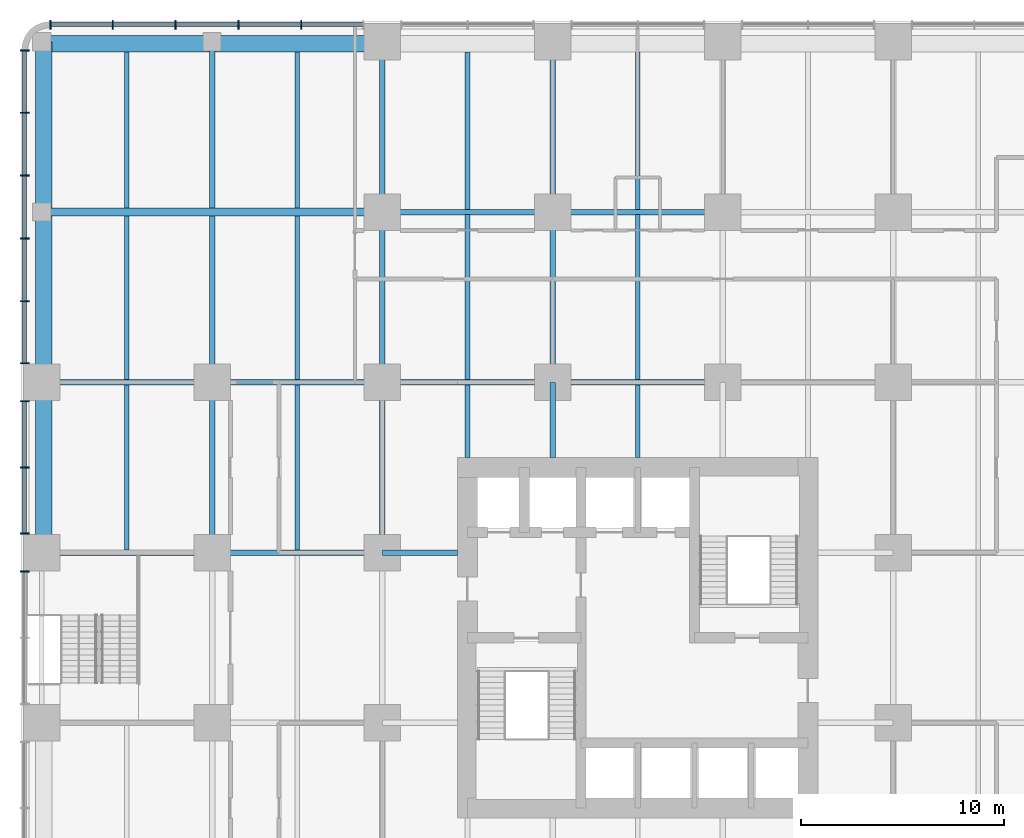
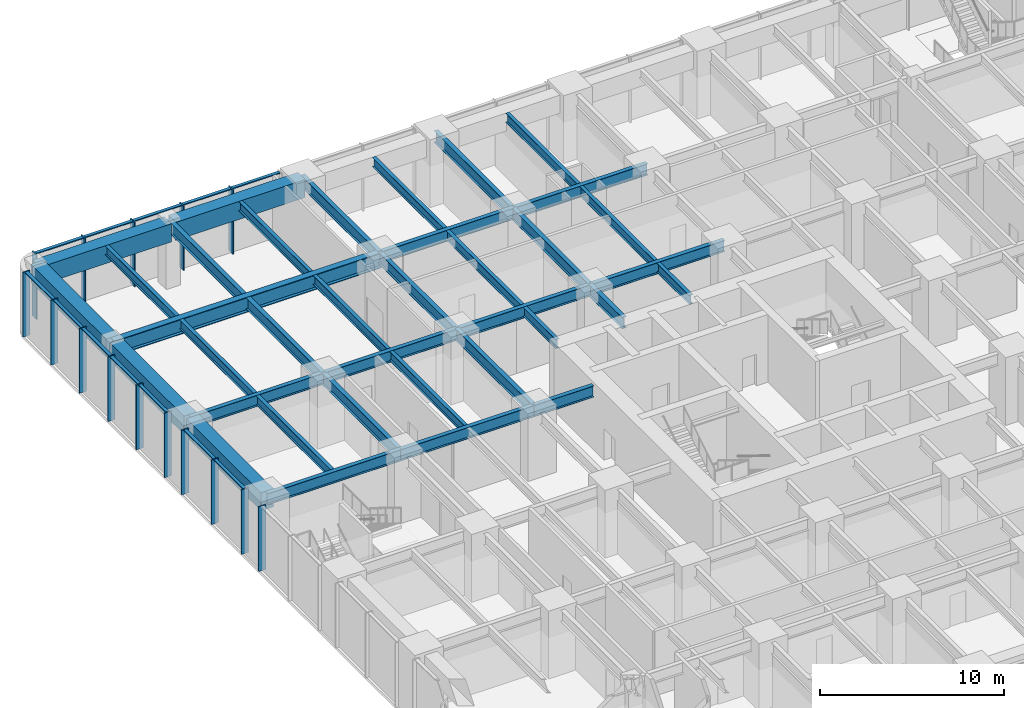
# One storey, part 5 of 17: 36 beams, 27 members, 2 elements without a shape of their own.
"""IFC4 building model written with IfcOpenShell, lengths in metres."""

import ifcopenshell
import ifcopenshell.guid

model = None  # the IFC model being written
_history = None  # IfcOwnerHistory: only IFC2X3 demands one
_inside = {}  # id of a spatial element -> (the spatial element, [elements in it])
_under = {}  # id of a project, library or spatial element -> (it, [spatial elements below it])
_declared = {}  # id of a project -> (the project, [libraries it declares])
_typed = {}  # id of a type object -> (the type object, [elements of that type])
_made_of = {}  # id of a material, layer set ... -> (it, [elements and type objects made of it])


def new_model(schema):
    """Start an empty IFC model of exactly this schema.

    Asked for "IFC4X3", IfcOpenShell would pick the latest addendum, in which some entities
    have other attributes; the version numbers below select the first issue.
    IFC2X3 requires an IfcOwnerHistory on every rooted entity: one is made here for all.
    """
    global model, _history
    if schema == "IFC4X3":
        model = ifcopenshell.file(schema_version=(4, 3, 0, 0))
    else:
        model = ifcopenshell.file(schema=schema)
    _inside.clear()
    _under.clear()
    _declared.clear()
    _typed.clear()
    _made_of.clear()
    _history = None
    if model.schema == "IFC2X3":
        org = make("IfcOrganization", Name="unknown")
        user = make(
            "IfcPersonAndOrganization",
            ThePerson=make("IfcPerson", FamilyName="unknown"),
            TheOrganization=org,
        )
        app = make(
            "IfcApplication",
            ApplicationDeveloper=org,
            Version="unknown",
            ApplicationFullName="unknown",
            ApplicationIdentifier="unknown",
        )
        _history = make(
            "IfcOwnerHistory",
            OwningUser=user,
            OwningApplication=app,
            ChangeAction="ADDED",
            CreationDate=0,
        )
    return model


def make(cls, **values):
    """One entity of the class cls with the attributes given. An attribute that is None is left unset."""
    return model.create_entity(
        cls, **{name: value for name, value in values.items() if value is not None}
    )


def rooted(cls, **values):
    """An entity with a GlobalId (a new one), such as an element, a storey or a relation."""
    return make(cls, GlobalId=ifcopenshell.guid.new(), OwnerHistory=_history, **values)


def si_unit(unit_type, name, prefix=None):
    """IfcSIUnit, for example si_unit("LENGTHUNIT", "METRE", prefix="MILLI")."""
    return make("IfcSIUnit", UnitType=unit_type, Prefix=prefix, Name=name)


def assignment(units):
    """IfcUnitAssignment: the units of a project."""
    return None if units is None else make("IfcUnitAssignment", Units=units)


def point(xyz):
    """IfcCartesianPoint."""
    return None if xyz is None else make("IfcCartesianPoint", Coordinates=xyz)


def direction(xyz):
    """IfcDirection."""
    return None if xyz is None else make("IfcDirection", DirectionRatios=xyz)


def frame(location, z_axis=None, x_axis=None):
    """IfcAxis2Placement3D, a coordinate frame: its origin and axes. An axis left out is left unset."""
    return make(
        "IfcAxis2Placement3D",
        Location=point(location),
        Axis=direction(z_axis),
        RefDirection=direction(x_axis),
    )


def frame_2d(location, x_axis=None):
    """IfcAxis2Placement2D, a coordinate frame in the plane: its origin and x axis."""
    return make(
        "IfcAxis2Placement2D", Location=point(location), RefDirection=direction(x_axis)
    )


def origin():
    """The frame at (0, 0, 0) with its axes left unset."""
    return frame((0.0, 0.0, 0.0))


def origin_2d():
    """The frame at (0, 0) in the plane with its x axis left unset."""
    return frame_2d((0.0, 0.0))


def place(relative_to, where):
    """IfcLocalPlacement: puts the frame where relative to a parent placement (None: the world)."""
    return make(
        "IfcLocalPlacement", PlacementRelTo=relative_to, RelativePlacement=where
    )


def context(
    kind, dimensions, precision=None, world=None, true_north=None, identifier=None
):
    """IfcGeometricRepresentationContext, for example the 3D "Model" context."""
    return make(
        "IfcGeometricRepresentationContext",
        ContextIdentifier=identifier,
        ContextType=kind,
        CoordinateSpaceDimension=dimensions,
        Precision=precision,
        WorldCoordinateSystem=world,
        TrueNorth=true_north,
    )


def subcontext(parent, identifier, kind, view, scale=None):
    """IfcGeometricRepresentationSubContext, for example "Body" below "Model"."""
    return make(
        "IfcGeometricRepresentationSubContext",
        ContextIdentifier=identifier,
        ContextType=kind,
        ParentContext=parent,
        TargetScale=scale,
        TargetView=view,
    )


def project(units=None, contexts=None):
    """IfcProject with its units and contexts."""
    return rooted(
        "IfcProject",
        Name="project",
        RepresentationContexts=contexts,
        UnitsInContext=assignment(units),
    )


def spatial(cls, under=None, at=None, **own):
    """A site, building, storey or space (cls), placed at a placement, below another one or the project."""
    s = rooted(cls, ObjectPlacement=at, **own)
    if under is not None:
        _under.setdefault(under.id(), (under, []))[1].append(s)
    return s


def profile(cls, at=None, kind="AREA", **sizes):
    """A parametric profile (cls). Its sizes go by their IFC names, for example OverallWidth=200.0."""
    return make(cls, ProfileType=kind, Position=at, **sizes)


def rectangle(**sizes):
    """IfcRectangleProfileDef."""
    return profile("IfcRectangleProfileDef", **sizes)


def i_section(**sizes):
    """IfcIShapeProfileDef."""
    return profile("IfcIShapeProfileDef", **sizes)


def extrude(swept, where, along, depth):
    """IfcExtrudedAreaSolid: the profile swept, set in the frame where, extruded along a direction by depth."""
    return make(
        "IfcExtrudedAreaSolid",
        SweptArea=swept,
        Position=where,
        ExtrudedDirection=direction(along),
        Depth=depth,
    )


def shape(context_of_items, identifier, shape_type, items):
    """IfcShapeRepresentation: the items that make up one representation, for example the "Body"."""
    return make(
        "IfcShapeRepresentation",
        ContextOfItems=context_of_items,
        RepresentationIdentifier=identifier,
        RepresentationType=shape_type,
        Items=items,
    )


def material(Name=None, Category=None):
    """IfcMaterial."""
    return make("IfcMaterial", Name=Name, Category=Category)


def material_profile(
    of_material, cross_section, Name=None, Category=None, Priority=None
):
    """IfcMaterialProfile: a cross section and its material."""
    return make(
        "IfcMaterialProfile",
        Name=Name,
        Material=of_material,
        Profile=cross_section,
        Priority=Priority,
        Category=Category,
    )


def profile_set(profiles, Name=None, composite=None):
    """IfcMaterialProfileSet."""
    return make(
        "IfcMaterialProfileSet",
        Name=Name,
        MaterialProfiles=profiles,
        CompositeProfile=composite,
    )


def made_of(thing, what):
    """Note that an element or type object is made of a material, layer set ...; save() writes the relation."""
    if what is not None:
        _made_of.setdefault(what.id(), (what, []))[1].append(thing)
    return thing


def type_object(cls, material=None, **own):
    """A type object (cls), such as IfcWallType, which elements share."""
    return made_of(rooted(cls, **own), material)


def element(
    cls,
    number,
    at=None,
    inside=None,
    cuts=None,
    type_object=None,
    material=None,
    context=None,
    identifier="Body",
    shape_type=None,
    held_by="IfcProductDefinitionShape",
    body=None,
    shapes=None,
    **own,
):
    """One element of the class cls, such as IfcWall. Its Tag is "e" and its number.

    at: its placement. inside: the storey or other place that contains it. cuts: it is an
    opening in that element (IfcRelVoidsElement). A single representation is given by context,
    identifier, shape_type and body (its items); several are given by shapes. held_by: the class
    of the entity that holds the representations. save() writes the other relations.
    """
    e = rooted(cls, Tag="e%d" % number, ObjectPlacement=at, **own)
    if body is not None:
        shapes = [shape(context, identifier, shape_type, body)]
    if shapes is not None:
        e.Representation = make(held_by, Representations=shapes)
    if inside is not None:
        _inside.setdefault(inside.id(), (inside, []))[1].append(e)
    if cuts is not None:
        rooted(
            "IfcRelVoidsElement", RelatingBuildingElement=cuts, RelatedOpeningElement=e
        )
    if type_object is not None:
        _typed.setdefault(type_object.id(), (type_object, []))[1].append(e)
    return made_of(e, material)


def aggregate(whole, parts):
    """IfcRelAggregates: a whole, such as a stair, and the parts it consists of."""
    return rooted("IfcRelAggregates", RelatingObject=whole, RelatedObjects=parts)


def save(model, path):
    """Write the relations noted so far, then the file.

    IfcRelAggregates (storeys below a building ...), IfcRelContainedInSpatialStructure (elements
    in a storey), IfcRelDefinesByType, IfcRelAssociatesMaterial and IfcRelDeclares: one each for
    every whole, place, type object, material and project.
    """
    for whole, parts in _under.values():
        aggregate(whole, parts)
    for where, things in _inside.values():
        rooted(
            "IfcRelContainedInSpatialStructure",
            RelatedElements=things,
            RelatingStructure=where,
        )
    for kind, things in _typed.values():
        rooted("IfcRelDefinesByType", RelatedObjects=things, RelatingType=kind)
    for what, things in _made_of.values():
        rooted("IfcRelAssociatesMaterial", RelatedObjects=things, RelatingMaterial=what)
    for by, libraries in _declared.values():
        rooted("IfcRelDeclares", RelatingContext=by, RelatedDefinitions=libraries)
    model.write(path)


model = new_model("IFC4")

# Units and contexts
model_context = context("Model", 3, precision=1e-05, world=origin(), true_north=direction((0.0, 1.0)))
body_context = subcontext(model_context, "Body", "Model", "MODEL_VIEW")
ifc_project = project(units=[si_unit("LENGTHUNIT", "METRE"), si_unit("AREAUNIT", "SQUARE_METRE"), si_unit("VOLUMEUNIT", "CUBIC_METRE"), si_unit("PLANEANGLEUNIT", "RADIAN"), si_unit("MASSUNIT", "GRAM", prefix="KILO")], contexts=[model_context])

# Site, building, storey
site_placement = place(None, origin())
site = spatial("IfcSite", under=ifc_project, at=site_placement, CompositionType="ELEMENT")
building_placement = place(site_placement, origin())
building = spatial("IfcBuilding", under=site, at=building_placement, Name="Torre Alcanfor", CompositionType="ELEMENT")
storey_placement = place(building_placement, frame((0.0, 0.0, 19.5)))
storey = spatial("IfcBuildingStorey", under=building, at=storey_placement, Name="L04", CompositionType="ELEMENT", Elevation=19.5)

# Curtain wall, members
ifc_material_1 = material(Name="Aluminium and glass", Category="aluminium")
curtain_wall_type = type_object("IfcCurtainWallType", Name="CW-B unitised classroom glazing with vertical FIN", PredefinedType="NOTDEFINED", material=ifc_material_1)
curtain_wall_1_placement = place(storey_placement, origin())
curtain_wall_1 = element("IfcCurtainWall", 1, at=curtain_wall_1_placement, inside=storey, type_object=curtain_wall_type, Name="Curtain wall CW-B L04 2", PredefinedType="NOTDEFINED")
ifc_material_2 = material(Name="Bronze anodised aluminium", Category="aluminium")
ifc_material_profile_1 = material_profile(ifc_material_2, rectangle(XDim=0.449951171875, YDim=0.06494140625, at=origin_2d()), Name="CW-B mullion 65x450")
ifc_profile_set_1 = profile_set([ifc_material_profile_1], Name="Bronze anodised aluminium")
member_type_1 = type_object("IfcMemberType", Name="CW-B mullion with vertical FIN 65x450", PredefinedType="MULLION", material=ifc_profile_set_1)
member_1_placement = place(storey_placement, frame((12.7958984375, 59.64990234375, 0.0), z_axis=(0.0, 0.0, 1.0), x_axis=(0.0, -1.0, 0.0)))
member_1 = element("IfcMember", 2, at=member_1_placement, type_object=member_type_1, Name="CW-B mullion 5.2", PredefinedType="MULLION", context=body_context, shape_type="SweptSolid", body=[
    extrude(rectangle(XDim=0.449951171875, YDim=0.06494140625, at=origin_2d()), origin(), (0.0, 0.0, 1.0), 4.300048828125),
])
member_2_placement = place(storey_placement, frame((9.697021484375, 59.64990234375, 0.0), z_axis=(0.0, 0.0, 1.0), x_axis=(0.0, -1.0, 0.0)))
member_2 = element("IfcMember", 3, at=member_2_placement, type_object=member_type_1, Name="CW-B mullion 5.3", PredefinedType="MULLION", context=body_context, shape_type="SweptSolid", body=[
    extrude(rectangle(XDim=0.449951171875, YDim=0.06494140625, at=origin_2d()), origin(), (0.0, 0.0, 1.0), 4.300048828125),
])
member_3_placement = place(storey_placement, frame((6.597900390625, 59.64990234375, 0.0), z_axis=(0.0, 0.0, 1.0), x_axis=(0.0, -1.0, 0.0)))
member_3 = element("IfcMember", 4, at=member_3_placement, type_object=member_type_1, Name="CW-B mullion 5.4", PredefinedType="MULLION", context=body_context, shape_type="SweptSolid", body=[
    extrude(rectangle(XDim=0.449951171875, YDim=0.06494140625, at=origin_2d()), origin(), (0.0, 0.0, 1.0), 4.300048828125),
])
member_4_placement = place(storey_placement, frame((3.4990234375, 59.64990234375, 0.0), z_axis=(0.0, 0.0, 1.0), x_axis=(0.0, -1.0, 0.0)))
member_4 = element("IfcMember", 5, at=member_4_placement, type_object=member_type_1, Name="CW-B mullion 5.5", PredefinedType="MULLION", context=body_context, shape_type="SweptSolid", body=[
    extrude(rectangle(XDim=0.449951171875, YDim=0.06494140625, at=origin_2d()), origin(), (0.0, 0.0, 1.0), 4.300048828125),
])
member_5_placement = place(storey_placement, frame((0.4326171875, 59.64990234375, 0.0), z_axis=(0.0, 0.0, 1.0), x_axis=(0.0, -1.0, 0.0)))
member_5 = element("IfcMember", 6, at=member_5_placement, type_object=member_type_1, Name="CW-B mullion 5.6", PredefinedType="MULLION", context=body_context, shape_type="SweptSolid", body=[
    extrude(rectangle(XDim=0.449951171875, YDim=0.06494140625, at=origin_2d()), origin(), (0.0, 0.0, 1.0), 4.300048828125),
])

curtain_wall_2_placement = place(storey_placement, origin())
curtain_wall_2 = element("IfcCurtainWall", 7, at=curtain_wall_2_placement, inside=storey, type_object=curtain_wall_type, Name="Curtain wall CW-B L04 3", PredefinedType="NOTDEFINED")
member_6_placement = place(storey_placement, frame((-0.85009765625, 58.367431640625, 0.0), z_axis=(0.0, 0.0, 1.0), x_axis=(1.0, 0.0, 0.0)))
member_6 = element("IfcMember", 8, at=member_6_placement, type_object=member_type_1, Name="CW-B mullion 1.1", PredefinedType="MULLION", context=body_context, shape_type="SweptSolid", body=[
    extrude(rectangle(XDim=0.449951171875, YDim=0.06494140625, at=origin_2d()), origin(), (0.0, 0.0, 1.0), 4.300048828125),
])
member_7_placement = place(storey_placement, frame((-0.85009765625, 55.301025390625, 0.0), z_axis=(0.0, 0.0, 1.0), x_axis=(1.0, 0.0, 0.0)))
member_7 = element("IfcMember", 9, at=member_7_placement, type_object=member_type_1, Name="CW-B mullion 1.2", PredefinedType="MULLION", context=body_context, shape_type="SweptSolid", body=[
    extrude(rectangle(XDim=0.449951171875, YDim=0.06494140625, at=origin_2d()), origin(), (0.0, 0.0, 1.0), 4.300048828125),
])
member_8_placement = place(storey_placement, frame((-0.85009765625, 52.201904296875, 0.0), z_axis=(0.0, 0.0, 1.0), x_axis=(1.0, 0.0, 0.0)))
member_8 = element("IfcMember", 10, at=member_8_placement, type_object=member_type_1, Name="CW-B mullion 1.3", PredefinedType="MULLION", context=body_context, shape_type="SweptSolid", body=[
    extrude(rectangle(XDim=0.449951171875, YDim=0.06494140625, at=origin_2d()), origin(), (0.0, 0.0, 1.0), 4.300048828125),
])
member_9_placement = place(storey_placement, frame((-0.85009765625, 49.10302734375, 0.0), z_axis=(0.0, 0.0, 1.0), x_axis=(1.0, 0.0, 0.0)))
member_9 = element("IfcMember", 11, at=member_9_placement, type_object=member_type_1, Name="CW-B mullion 1.4", PredefinedType="MULLION", context=body_context, shape_type="SweptSolid", body=[
    extrude(rectangle(XDim=0.449951171875, YDim=0.06494140625, at=origin_2d()), origin(), (0.0, 0.0, 1.0), 4.300048828125),
])
member_10_placement = place(storey_placement, frame((-0.85009765625, 46.00390625, 0.0), z_axis=(0.0, 0.0, 1.0), x_axis=(1.0, 0.0, 0.0)))
member_10 = element("IfcMember", 12, at=member_10_placement, type_object=member_type_1, Name="CW-B mullion 1.5", PredefinedType="MULLION", context=body_context, shape_type="SweptSolid", body=[
    extrude(rectangle(XDim=0.449951171875, YDim=0.06494140625, at=origin_2d()), origin(), (0.0, 0.0, 1.0), 4.300048828125),
])
member_11_placement = place(storey_placement, frame((-0.85009765625, 42.9375, 0.0), z_axis=(0.0, 0.0, 1.0), x_axis=(1.0, 0.0, 0.0)))
member_11 = element("IfcMember", 13, at=member_11_placement, type_object=member_type_1, Name="CW-B mullion 1.6", PredefinedType="MULLION", context=body_context, shape_type="SweptSolid", body=[
    extrude(rectangle(XDim=0.449951171875, YDim=0.06494140625, at=origin_2d()), origin(), (0.0, 0.0, 1.0), 4.300048828125),
])
member_12_placement = place(storey_placement, frame((-0.85009765625, 41.0625, 0.0), z_axis=(0.0, 0.0, 1.0), x_axis=(1.0, 0.0, 0.0)))
member_12 = element("IfcMember", 14, at=member_12_placement, type_object=member_type_1, Name="CW-B mullion 2.1", PredefinedType="MULLION", context=body_context, shape_type="SweptSolid", body=[
    extrude(rectangle(XDim=0.449951171875, YDim=0.06494140625, at=origin_2d()), origin(), (0.0, 0.0, 1.0), 4.300048828125),
])
member_13_placement = place(storey_placement, frame((-0.85009765625, 37.800048828125, 0.0), z_axis=(0.0, 0.0, 1.0), x_axis=(1.0, 0.0, 0.0)))
member_13 = element("IfcMember", 15, at=member_13_placement, type_object=member_type_1, Name="CW-B mullion 2.2", PredefinedType="MULLION", context=body_context, shape_type="SweptSolid", body=[
    extrude(rectangle(XDim=0.449951171875, YDim=0.06494140625, at=origin_2d()), origin(), (0.0, 0.0, 1.0), 4.300048828125),
])
member_14_placement = place(storey_placement, frame((-0.85009765625, 34.53759765625, 0.0), z_axis=(0.0, 0.0, 1.0), x_axis=(1.0, 0.0, 0.0)))
member_14 = element("IfcMember", 16, at=member_14_placement, type_object=member_type_1, Name="CW-B mullion 2.3", PredefinedType="MULLION", context=body_context, shape_type="SweptSolid", body=[
    extrude(rectangle(XDim=0.449951171875, YDim=0.06494140625, at=origin_2d()), origin(), (0.0, 0.0, 1.0), 4.300048828125),
])
member_15_placement = place(storey_placement, frame((-0.85009765625, 32.66259765625, 0.0), z_axis=(0.0, 0.0, 1.0), x_axis=(1.0, 0.0, 0.0)))
member_15 = element("IfcMember", 17, at=member_15_placement, type_object=member_type_1, Name="CW-B mullion 3.1", PredefinedType="MULLION", context=body_context, shape_type="SweptSolid", body=[
    extrude(rectangle(XDim=0.449951171875, YDim=0.06494140625, at=origin_2d()), origin(), (0.0, 0.0, 1.0), 4.300048828125),
])

# Member
ifc_material_3 = material(Name="Extruded aluminium", Category="aluminium")
ifc_material_profile_2 = material_profile(ifc_material_3, rectangle(XDim=0.199951171875, YDim=0.06494140625, at=origin_2d()), Name="CW-B transom 200x65")
ifc_profile_set_2 = profile_set([ifc_material_profile_2], Name="Extruded aluminium")
member_type_2 = type_object("IfcMemberType", Name="CW-B transom 65x200", PredefinedType="USERDEFINED", material=ifc_profile_set_2)
member_16_placement = place(storey_placement, frame((15.830078125, 59.64990234375, 4.267578125), z_axis=(-1.0, 0.0, 0.0), x_axis=(0.0, -1.0, 0.0)))
member_16 = element("IfcMember", 18, at=member_16_placement, type_object=member_type_2, Name="CW-B transom 5.1.2", ObjectType="TRANSOM", PredefinedType="USERDEFINED", context=body_context, shape_type="SweptSolid", body=[
    extrude(rectangle(XDim=0.199951171875, YDim=0.06494140625, at=origin_2d()), origin(), (0.0, 0.0, 1.0), 3.00146484375),
])

member_17_placement = place(storey_placement, frame((12.763427734375, 59.64990234375, 4.267578125), z_axis=(-1.0, 0.0, 0.0), x_axis=(0.0, -1.0, 0.0)))
member_17 = element("IfcMember", 19, at=member_17_placement, type_object=member_type_2, Name="CW-B transom 5.2.2", ObjectType="TRANSOM", PredefinedType="USERDEFINED", context=body_context, shape_type="SweptSolid", body=[
    extrude(rectangle(XDim=0.199951171875, YDim=0.06494140625, at=origin_2d()), origin(), (0.0, 0.0, 1.0), 3.033935546875),
])

member_18_placement = place(storey_placement, frame((9.66455078125, 59.64990234375, 4.267578125), z_axis=(-1.0, 0.0, 0.0), x_axis=(0.0, -1.0, 0.0)))
member_18 = element("IfcMember", 20, at=member_18_placement, type_object=member_type_2, Name="CW-B transom 5.3.2", ObjectType="TRANSOM", PredefinedType="USERDEFINED", context=body_context, shape_type="SweptSolid", body=[
    extrude(rectangle(XDim=0.199951171875, YDim=0.06494140625, at=origin_2d()), origin(), (0.0, 0.0, 1.0), 3.033935546875),
])

member_19_placement = place(storey_placement, frame((6.5654296875, 59.64990234375, 4.267578125), z_axis=(-1.0, 0.0, 0.0), x_axis=(0.0, -1.0, 0.0)))
member_19 = element("IfcMember", 21, at=member_19_placement, type_object=member_type_2, Name="CW-B transom 5.4.2", ObjectType="TRANSOM", PredefinedType="USERDEFINED", context=body_context, shape_type="SweptSolid", body=[
    extrude(rectangle(XDim=0.199951171875, YDim=0.06494140625, at=origin_2d()), origin(), (0.0, 0.0, 1.0), 3.033935546875),
])

member_20_placement = place(storey_placement, frame((3.466552734375, 59.64990234375, 4.267578125), z_axis=(-1.0, 0.0, 0.0), x_axis=(0.0, -1.0, 0.0)))
member_20 = element("IfcMember", 22, at=member_20_placement, type_object=member_type_2, Name="CW-B transom 5.5.2", ObjectType="TRANSOM", PredefinedType="USERDEFINED", context=body_context, shape_type="SweptSolid", body=[
    extrude(rectangle(XDim=0.199951171875, YDim=0.06494140625, at=origin_2d()), origin(), (0.0, 0.0, 1.0), 3.00146484375),
])

aggregate(curtain_wall_1, [member_1, member_2, member_3, member_4, member_5, member_16, member_17, member_18, member_19, member_20])

member_21_placement = place(storey_placement, frame((-0.85009765625, 58.3349609375, 4.267578125), z_axis=(0.0, -1.0, 0.0), x_axis=(1.0, 0.0, 0.0)))
member_21 = element("IfcMember", 23, at=member_21_placement, type_object=member_type_2, Name="CW-B transom 1.1.2", ObjectType="TRANSOM", PredefinedType="USERDEFINED", context=body_context, shape_type="SweptSolid", body=[
    extrude(rectangle(XDim=0.199951171875, YDim=0.06494140625, at=origin_2d()), origin(), (0.0, 0.0, 1.0), 3.00146484375),
])

member_22_placement = place(storey_placement, frame((-0.85009765625, 55.2685546875, 4.267578125), z_axis=(0.0, -1.0, 0.0), x_axis=(1.0, 0.0, 0.0)))
member_22 = element("IfcMember", 24, at=member_22_placement, type_object=member_type_2, Name="CW-B transom 1.2.2", ObjectType="TRANSOM", PredefinedType="USERDEFINED", context=body_context, shape_type="SweptSolid", body=[
    extrude(rectangle(XDim=0.199951171875, YDim=0.06494140625, at=origin_2d()), origin(), (0.0, 0.0, 1.0), 3.033935546875),
])

member_23_placement = place(storey_placement, frame((-0.85009765625, 52.16943359375, 4.267578125), z_axis=(0.0, -1.0, 0.0), x_axis=(1.0, 0.0, 0.0)))
member_23 = element("IfcMember", 25, at=member_23_placement, type_object=member_type_2, Name="CW-B transom 1.3.2", ObjectType="TRANSOM", PredefinedType="USERDEFINED", context=body_context, shape_type="SweptSolid", body=[
    extrude(rectangle(XDim=0.199951171875, YDim=0.06494140625, at=origin_2d()), origin(), (0.0, 0.0, 1.0), 3.033935546875),
])

member_24_placement = place(storey_placement, frame((-0.85009765625, 49.070556640625, 4.267578125), z_axis=(0.0, -1.0, 0.0), x_axis=(1.0, 0.0, 0.0)))
member_24 = element("IfcMember", 26, at=member_24_placement, type_object=member_type_2, Name="CW-B transom 1.4.2", ObjectType="TRANSOM", PredefinedType="USERDEFINED", context=body_context, shape_type="SweptSolid", body=[
    extrude(rectangle(XDim=0.199951171875, YDim=0.06494140625, at=origin_2d()), origin(), (0.0, 0.0, 1.0), 3.033935546875),
])

member_25_placement = place(storey_placement, frame((-0.85009765625, 45.971435546875, 4.267578125), z_axis=(0.0, -1.0, 0.0), x_axis=(1.0, 0.0, 0.0)))
member_25 = element("IfcMember", 27, at=member_25_placement, type_object=member_type_2, Name="CW-B transom 1.5.2", ObjectType="TRANSOM", PredefinedType="USERDEFINED", context=body_context, shape_type="SweptSolid", body=[
    extrude(rectangle(XDim=0.199951171875, YDim=0.06494140625, at=origin_2d()), origin(), (0.0, 0.0, 1.0), 3.00146484375),
])

member_26_placement = place(storey_placement, frame((-0.85009765625, 41.030029296875, 4.267578125), z_axis=(0.0, -1.0, 0.0), x_axis=(1.0, 0.0, 0.0)))
member_26 = element("IfcMember", 28, at=member_26_placement, type_object=member_type_2, Name="CW-B transom 2.1.2", ObjectType="TRANSOM", PredefinedType="USERDEFINED", context=body_context, shape_type="SweptSolid", body=[
    extrude(rectangle(XDim=0.199951171875, YDim=0.06494140625, at=origin_2d()), origin(), (0.0, 0.0, 1.0), 3.197509765625),
])

member_27_placement = place(storey_placement, frame((-0.85009765625, 37.767578125, 4.267578125), z_axis=(0.0, -1.0, 0.0), x_axis=(1.0, 0.0, 0.0)))
member_27 = element("IfcMember", 29, at=member_27_placement, type_object=member_type_2, Name="CW-B transom 2.2.2", ObjectType="TRANSOM", PredefinedType="USERDEFINED", context=body_context, shape_type="SweptSolid", body=[
    extrude(rectangle(XDim=0.199951171875, YDim=0.06494140625, at=origin_2d()), origin(), (0.0, 0.0, 1.0), 3.197509765625),
])

aggregate(curtain_wall_2, [member_6, member_7, member_8, member_9, member_10, member_11, member_21, member_22, member_23, member_24, member_25, member_12, member_13, member_14, member_26, member_27, member_15])

# Beams
ifc_material_4 = material(Name="Steel ASTM A992 Grade 50", Category="steel")
ifc_material_profile_3 = material_profile(ifc_material_4, i_section(OverallWidth=0.2666015625, OverallDepth=0.7568359375, WebThickness=0.013916015625, FlangeThickness=0.019287109375, at=origin_2d()), Name="W30x108")
ifc_profile_set_3 = profile_set([ifc_material_profile_3], Name="Steel ASTM A992 Grade 50")
beam_type_1 = type_object("IfcBeamType", Name="Girder W30x108", PredefinedType="BEAM", material=ifc_profile_set_3)
beam_1_placement = place(storey_placement, frame((0.0, 33.60009765625, 3.921630859375), z_axis=(1.0, 0.0, 0.0), x_axis=(0.0, 1.0, 0.0)))
element("IfcBeam", 30, at=beam_1_placement, inside=storey, type_object=beam_type_1, Name="Beam 1G-2G under L05", PredefinedType="BEAM", context=body_context, shape_type="SweptSolid", body=[
    extrude(i_section(OverallWidth=0.2666015625, OverallDepth=0.7568359375, WebThickness=0.013916015625, FlangeThickness=0.019287109375, at=origin_2d()), origin(), (0.0, 0.0, 1.0), 8.39990234375),
])
beam_2_placement = place(storey_placement, frame((8.39990234375, 33.60009765625, 3.921630859375), z_axis=(1.0, 0.0, 0.0), x_axis=(0.0, 1.0, 0.0)))
element("IfcBeam", 31, at=beam_2_placement, inside=storey, type_object=beam_type_1, Name="Beam 2G-3G under L05", PredefinedType="BEAM", context=body_context, shape_type="SweptSolid", body=[
    extrude(i_section(OverallWidth=0.2666015625, OverallDepth=0.7568359375, WebThickness=0.013916015625, FlangeThickness=0.019287109375, at=origin_2d()), origin(), (0.0, 0.0, 1.0), 8.400146484375),
])
beam_3_placement = place(storey_placement, frame((0.0, 42.0, 3.921630859375), z_axis=(1.0, 0.0, 0.0), x_axis=(0.0, 1.0, 0.0)))
element("IfcBeam", 32, at=beam_3_placement, inside=storey, type_object=beam_type_1, Name="Beam 1H-2H under L05", PredefinedType="BEAM", context=body_context, shape_type="SweptSolid", body=[
    extrude(i_section(OverallWidth=0.2666015625, OverallDepth=0.7568359375, WebThickness=0.013916015625, FlangeThickness=0.019287109375, at=origin_2d()), origin(), (0.0, 0.0, 1.0), 8.39990234375),
])
beam_4_placement = place(storey_placement, frame((8.39990234375, 42.0, 3.921630859375), z_axis=(1.0, 0.0, 0.0), x_axis=(0.0, 1.0, 0.0)))
element("IfcBeam", 33, at=beam_4_placement, inside=storey, type_object=beam_type_1, Name="Beam 2H-3H under L05", PredefinedType="BEAM", context=body_context, shape_type="SweptSolid", body=[
    extrude(i_section(OverallWidth=0.2666015625, OverallDepth=0.7568359375, WebThickness=0.013916015625, FlangeThickness=0.019287109375, at=origin_2d()), origin(), (0.0, 0.0, 1.0), 8.400146484375),
])
beam_5_placement = place(storey_placement, frame((16.800048828125, 42.0, 3.921630859375), z_axis=(1.0, 0.0, 0.0), x_axis=(0.0, 1.0, 0.0)))
element("IfcBeam", 34, at=beam_5_placement, inside=storey, type_object=beam_type_1, Name="Beam 3H-4H under L05", PredefinedType="BEAM", context=body_context, shape_type="SweptSolid", body=[
    extrude(i_section(OverallWidth=0.2666015625, OverallDepth=0.7568359375, WebThickness=0.013916015625, FlangeThickness=0.019287109375, at=origin_2d()), origin(), (0.0, 0.0, 1.0), 8.39990234375),
])
beam_6_placement = place(storey_placement, frame((25.199951171875, 42.0, 3.921630859375), z_axis=(1.0, 0.0, 0.0), x_axis=(0.0, 1.0, 0.0)))
element("IfcBeam", 35, at=beam_6_placement, inside=storey, type_object=beam_type_1, Name="Beam 4H-5H under L05", PredefinedType="BEAM", context=body_context, shape_type="SweptSolid", body=[
    extrude(i_section(OverallWidth=0.2666015625, OverallDepth=0.7568359375, WebThickness=0.013916015625, FlangeThickness=0.019287109375, at=origin_2d()), origin(), (0.0, 0.0, 1.0), 8.400146484375),
])
beam_7_placement = place(storey_placement, frame((16.800048828125, 50.39990234375, 3.921630859375), z_axis=(1.0, 0.0, 0.0), x_axis=(0.0, 1.0, 0.0)))
element("IfcBeam", 36, at=beam_7_placement, inside=storey, type_object=beam_type_1, Name="Beam 3J-4J under L05", PredefinedType="BEAM", context=body_context, shape_type="SweptSolid", body=[
    extrude(i_section(OverallWidth=0.2666015625, OverallDepth=0.7568359375, WebThickness=0.013916015625, FlangeThickness=0.019287109375, at=origin_2d()), origin(), (0.0, 0.0, 1.0), 8.39990234375),
])
beam_8_placement = place(storey_placement, frame((25.199951171875, 50.39990234375, 3.921630859375), z_axis=(1.0, 0.0, 0.0), x_axis=(0.0, 1.0, 0.0)))
element("IfcBeam", 37, at=beam_8_placement, inside=storey, type_object=beam_type_1, Name="Beam 4J-5J under L05", PredefinedType="BEAM", context=body_context, shape_type="SweptSolid", body=[
    extrude(i_section(OverallWidth=0.2666015625, OverallDepth=0.7568359375, WebThickness=0.013916015625, FlangeThickness=0.019287109375, at=origin_2d()), origin(), (0.0, 0.0, 1.0), 8.400146484375),
])
beam_9_placement = place(storey_placement, frame((8.39990234375, 33.60009765625, 3.921630859375), z_axis=(0.0, 1.0, 0.0), x_axis=(-1.0, 0.0, 0.0)))
element("IfcBeam", 38, at=beam_9_placement, inside=storey, type_object=beam_type_1, Name="Beam 2G-2H under L05", PredefinedType="BEAM", context=body_context, shape_type="SweptSolid", body=[
    extrude(i_section(OverallWidth=0.2666015625, OverallDepth=0.7568359375, WebThickness=0.013916015625, FlangeThickness=0.019287109375, at=origin_2d()), origin(), (0.0, 0.0, 1.0), 8.39990234375),
])
for number, where, z_axis, x_axis, name in (
    (39, (8.39990234375, 42.0, 3.921630859375), (0.0, 1.0, 0.0), (-1.0, 0.0, 0.0), "Beam 2H-2J under L05"),
    (40, (8.39990234375, 50.60009765625, 3.921630859375), (0.0, 1.0, 0.0), (-1.0, 0.0, 0.0), "Beam 2J-2K under L05"),
):
    element("IfcBeam", number, at=place(storey_placement, frame(where, z_axis=z_axis, x_axis=x_axis)), inside=storey, type_object=beam_type_1, Name=name, PredefinedType="BEAM", context=body_context, shape_type="SweptSolid", body=[
        extrude(i_section(OverallWidth=0.2666015625, OverallDepth=0.7568359375, WebThickness=0.013916015625, FlangeThickness=0.019287109375, at=origin_2d()), origin(), (0.0, 0.0, 1.0), 8.199951171875),
    ])
for number, where, z_axis, x_axis, name in (
    (41, (16.800048828125, 33.60009765625, 3.921630859375), (0.0, 1.0, 0.0), (-1.0, 0.0, 0.0), "Beam 3G-3H under L05"),
    (42, (16.800048828125, 42.0, 3.921630859375), (0.0, 1.0, 0.0), (-1.0, 0.0, 0.0), "Beam 3H-3J under L05"),
):
    element("IfcBeam", number, at=place(storey_placement, frame(where, z_axis=z_axis, x_axis=x_axis)), inside=storey, type_object=beam_type_1, Name=name, PredefinedType="BEAM", context=body_context, shape_type="SweptSolid", body=[
        extrude(i_section(OverallWidth=0.2666015625, OverallDepth=0.7568359375, WebThickness=0.013916015625, FlangeThickness=0.019287109375, at=origin_2d()), origin(), (0.0, 0.0, 1.0), 8.39990234375),
    ])
beam_10_placement = place(storey_placement, frame((16.800048828125, 50.39990234375, 3.921630859375), z_axis=(0.0, 1.0, 0.0), x_axis=(-1.0, 0.0, 0.0)))
element("IfcBeam", 43, at=beam_10_placement, inside=storey, type_object=beam_type_1, Name="Beam 3J-3K under L05", PredefinedType="BEAM", context=body_context, shape_type="SweptSolid", body=[
    extrude(i_section(OverallWidth=0.2666015625, OverallDepth=0.7568359375, WebThickness=0.013916015625, FlangeThickness=0.019287109375, at=origin_2d()), origin(), (0.0, 0.0, 1.0), 8.400146484375),
])
beam_11_placement = place(storey_placement, frame((25.199951171875, 42.0, 3.921630859375), z_axis=(0.0, 1.0, 0.0), x_axis=(-1.0, 0.0, 0.0)))
element("IfcBeam", 44, at=beam_11_placement, inside=storey, type_object=beam_type_1, Name="Beam 4H-4J under L05", PredefinedType="BEAM", context=body_context, shape_type="SweptSolid", body=[
    extrude(i_section(OverallWidth=0.2666015625, OverallDepth=0.7568359375, WebThickness=0.013916015625, FlangeThickness=0.019287109375, at=origin_2d()), origin(), (0.0, 0.0, 1.0), 8.39990234375),
])
beam_12_placement = place(storey_placement, frame((25.199951171875, 50.39990234375, 3.921630859375), z_axis=(0.0, 1.0, 0.0), x_axis=(-1.0, 0.0, 0.0)))
element("IfcBeam", 45, at=beam_12_placement, inside=storey, type_object=beam_type_1, Name="Beam 4J-4K under L05", PredefinedType="BEAM", context=body_context, shape_type="SweptSolid", body=[
    extrude(i_section(OverallWidth=0.2666015625, OverallDepth=0.7568359375, WebThickness=0.013916015625, FlangeThickness=0.019287109375, at=origin_2d()), origin(), (0.0, 0.0, 1.0), 8.400146484375),
])
ifc_material_5 = material(Name="Steel ASTM A992 Grade 50", Category="steel")
ifc_material_profile_4 = material_profile(ifc_material_5, i_section(OverallWidth=0.4013671875, OverallDepth=1.010986328125, WebThickness=0.023681640625, FlangeThickness=0.0419921875, at=origin_2d()), Name="W40x297")
ifc_profile_set_4 = profile_set([ifc_material_profile_4], Name="Steel ASTM A992 Grade 50")
beam_type_2 = type_object("IfcBeamType", Name="Girder W40x297", PredefinedType="BEAM", material=ifc_profile_set_4)
beam_13_placement = place(storey_placement, frame((0.0, 50.39990234375, 3.79443359375), z_axis=(1.0, 0.0, 0.0), x_axis=(0.0, 1.0, 0.0)))
element("IfcBeam", 46, at=beam_13_placement, inside=storey, type_object=beam_type_2, Name="Beam 1J-3J under L05", PredefinedType="BEAM", context=body_context, shape_type="SweptSolid", body=[
    extrude(i_section(OverallWidth=0.4013671875, OverallDepth=1.010986328125, WebThickness=0.023681640625, FlangeThickness=0.0419921875, at=origin_2d()), origin(), (0.0, 0.0, 1.0), 16.800048828125),
])
ifc_material_6 = material(Name="Steel ASTM A992 Grade 50", Category="steel")
ifc_material_profile_5 = material_profile(ifc_material_6, i_section(OverallWidth=0.2666015625, OverallDepth=0.7568359375, WebThickness=0.013916015625, FlangeThickness=0.019287109375, at=origin_2d()), Name="W30x108")
ifc_profile_set_5 = profile_set([ifc_material_profile_5], Name="Steel ASTM A992 Grade 50")
beam_type_3 = type_object("IfcBeamType", Name="Girder, part bay W30x108", PredefinedType="BEAM", material=ifc_profile_set_5)
for number, where, z_axis, x_axis, name in (
    (47, (25.199951171875, 42.0, 3.921630859375), (0.0, -1.0, 0.0), (1.0, 0.0, 0.0), "Beam 4H-438_3 under L05"),
    (48, (16.800048828125, 33.60009765625, 3.921630859375), (1.0, 0.0, 0.0), (0.0, 1.0, 0.0), "Beam 3G-20_5G under L05"),
):
    element("IfcBeam", number, at=place(storey_placement, frame(where, z_axis=z_axis, x_axis=x_axis)), inside=storey, type_object=beam_type_3, Name=name, PredefinedType="BEAM", context=body_context, shape_type="SweptSolid", body=[
        extrude(i_section(OverallWidth=0.2666015625, OverallDepth=0.7568359375, WebThickness=0.013916015625, FlangeThickness=0.019287109375, at=origin_2d()), origin(), (0.0, 0.0, 1.0), 3.699951171875),
    ])
ifc_material_7 = material(Name="Concrete f'c 70 MPa", Category="concrete")
ifc_material_profile_6 = material_profile(ifc_material_7, rectangle(XDim=0.800048828125, YDim=1.199951171875, at=origin_2d()), Name="800x1200")
ifc_profile_set_6 = profile_set([ifc_material_profile_6], Name="Concrete f'c 70 MPa")
beam_type_4 = type_object("IfcBeamType", Name="RC perimeter beam 800x1200", PredefinedType="BEAM", material=ifc_profile_set_6)
beam_14_placement = place(storey_placement, frame((0.0, 58.699951171875, 3.699951171875), z_axis=(1.0, 0.0, 0.0), x_axis=(0.0, 1.0, 0.0)))
element("IfcBeam", 49, at=beam_14_placement, inside=storey, type_object=beam_type_4, Name="Beam 1K-2K under L05", PredefinedType="BEAM", context=body_context, shape_type="SweptSolid", body=[
    extrude(rectangle(XDim=0.800048828125, YDim=1.199951171875, at=origin_2d()), origin(), (0.0, 0.0, 1.0), 8.26708984375),
])
for number, where, z_axis, x_axis, name in (
    (50, (8.532958984375, 58.699951171875, 3.699951171875), (1.0, 0.0, 0.0), (0.0, 1.0, 0.0), "Beam 2K-3K under L05"),
    (51, (0.10009765625, 33.73291015625, 3.699951171875), (0.0, 1.0, 0.0), (-1.0, 0.0, 0.0), "Beam 1G-1H under L05"),
):
    element("IfcBeam", number, at=place(storey_placement, frame(where, z_axis=z_axis, x_axis=x_axis)), inside=storey, type_object=beam_type_4, Name=name, PredefinedType="BEAM", context=body_context, shape_type="SweptSolid", body=[
        extrude(rectangle(XDim=0.800048828125, YDim=1.199951171875, at=origin_2d()), origin(), (0.0, 0.0, 1.0), 8.134033203125),
    ])
beam_15_placement = place(storey_placement, frame((0.10009765625, 42.133056640625, 3.699951171875), z_axis=(0.0, 1.0, 0.0), x_axis=(-1.0, 0.0, 0.0)))
element("IfcBeam", 52, at=beam_15_placement, inside=storey, type_object=beam_type_4, Name="Beam 1H-1J under L05", PredefinedType="BEAM", context=body_context, shape_type="SweptSolid", body=[
    extrude(rectangle(XDim=0.800048828125, YDim=1.199951171875, at=origin_2d()), origin(), (0.0, 0.0, 1.0), 8.06689453125),
])
beam_16_placement = place(storey_placement, frame((0.10009765625, 50.60009765625, 3.699951171875), z_axis=(0.0, 1.0, 0.0), x_axis=(-1.0, 0.0, 0.0)))
element("IfcBeam", 53, at=beam_16_placement, inside=storey, type_object=beam_type_4, Name="Beam 1J-1K under L05", PredefinedType="BEAM", context=body_context, shape_type="SweptSolid", body=[
    extrude(rectangle(XDim=0.800048828125, YDim=1.199951171875, at=origin_2d()), origin(), (0.0, 0.0, 1.0), 8.199951171875),
])
ifc_material_8 = material(Name="Steel ASTM A992 Grade 50", Category="steel")
ifc_material_profile_7 = material_profile(ifc_material_8, i_section(OverallWidth=0.22900390625, OverallDepth=0.612060546875, WebThickness=0.011962890625, FlangeThickness=0.01953125, at=origin_2d()), Name="W24x84")
ifc_profile_set_7 = profile_set([ifc_material_profile_7], Name="Steel ASTM A992 Grade 50")
beam_type_5 = type_object("IfcBeamType", Name="Secondary beam W24x84", PredefinedType="BEAM", material=ifc_profile_set_7)
beam_17_placement = place(storey_placement, frame((4.199951171875, 33.73291015625, 3.993896484375), z_axis=(0.0, 1.0, 0.0), x_axis=(-1.0, 0.0, 0.0)))
element("IfcBeam", 54, at=beam_17_placement, inside=storey, type_object=beam_type_5, Name="Beam 4_2G-4_2H under L05", PredefinedType="BEAM", context=body_context, shape_type="SweptSolid", body=[
    extrude(i_section(OverallWidth=0.22900390625, OverallDepth=0.612060546875, WebThickness=0.011962890625, FlangeThickness=0.01953125, at=origin_2d()), origin(), (0.0, 0.0, 1.0), 8.134033203125),
])
beam_18_placement = place(storey_placement, frame((4.199951171875, 42.133056640625, 3.993896484375), z_axis=(0.0, 1.0, 0.0), x_axis=(-1.0, 0.0, 0.0)))
element("IfcBeam", 55, at=beam_18_placement, inside=storey, type_object=beam_type_5, Name="Beam 4_2H-4_2J under L05", PredefinedType="BEAM", context=body_context, shape_type="SweptSolid", body=[
    extrude(i_section(OverallWidth=0.22900390625, OverallDepth=0.612060546875, WebThickness=0.011962890625, FlangeThickness=0.01953125, at=origin_2d()), origin(), (0.0, 0.0, 1.0), 8.06689453125),
])
beam_19_placement = place(storey_placement, frame((4.199951171875, 50.60009765625, 3.993896484375), z_axis=(0.0, 1.0, 0.0), x_axis=(-1.0, 0.0, 0.0)))
element("IfcBeam", 56, at=beam_19_placement, inside=storey, type_object=beam_type_5, Name="Beam 4_2J-4_2K under L05", PredefinedType="BEAM", context=body_context, shape_type="SweptSolid", body=[
    extrude(i_section(OverallWidth=0.22900390625, OverallDepth=0.612060546875, WebThickness=0.011962890625, FlangeThickness=0.01953125, at=origin_2d()), origin(), (0.0, 0.0, 1.0), 7.699951171875),
])
beam_20_placement = place(storey_placement, frame((12.60009765625, 33.73291015625, 3.993896484375), z_axis=(0.0, 1.0, 0.0), x_axis=(-1.0, 0.0, 0.0)))
element("IfcBeam", 57, at=beam_20_placement, inside=storey, type_object=beam_type_5, Name="Beam 12_6G-12_6H under L05", PredefinedType="BEAM", context=body_context, shape_type="SweptSolid", body=[
    extrude(i_section(OverallWidth=0.22900390625, OverallDepth=0.612060546875, WebThickness=0.011962890625, FlangeThickness=0.01953125, at=origin_2d()), origin(), (0.0, 0.0, 1.0), 8.134033203125),
])
beam_21_placement = place(storey_placement, frame((12.60009765625, 42.133056640625, 3.993896484375), z_axis=(0.0, 1.0, 0.0), x_axis=(-1.0, 0.0, 0.0)))
element("IfcBeam", 58, at=beam_21_placement, inside=storey, type_object=beam_type_5, Name="Beam 12_6H-12_6J under L05", PredefinedType="BEAM", context=body_context, shape_type="SweptSolid", body=[
    extrude(i_section(OverallWidth=0.22900390625, OverallDepth=0.612060546875, WebThickness=0.011962890625, FlangeThickness=0.01953125, at=origin_2d()), origin(), (0.0, 0.0, 1.0), 8.06689453125),
])
beam_22_placement = place(storey_placement, frame((12.60009765625, 50.60009765625, 3.993896484375), z_axis=(0.0, 1.0, 0.0), x_axis=(-1.0, 0.0, 0.0)))
element("IfcBeam", 59, at=beam_22_placement, inside=storey, type_object=beam_type_5, Name="Beam 12_6J-12_6K under L05", PredefinedType="BEAM", context=body_context, shape_type="SweptSolid", body=[
    extrude(i_section(OverallWidth=0.22900390625, OverallDepth=0.612060546875, WebThickness=0.011962890625, FlangeThickness=0.01953125, at=origin_2d()), origin(), (0.0, 0.0, 1.0), 7.699951171875),
])
beam_23_placement = place(storey_placement, frame((21.0, 42.133056640625, 3.993896484375), z_axis=(0.0, 1.0, 0.0), x_axis=(-1.0, 0.0, 0.0)))
element("IfcBeam", 60, at=beam_23_placement, inside=storey, type_object=beam_type_5, Name="Beam 21H-21J under L05", PredefinedType="BEAM", context=body_context, shape_type="SweptSolid", body=[
    extrude(i_section(OverallWidth=0.22900390625, OverallDepth=0.612060546875, WebThickness=0.011962890625, FlangeThickness=0.01953125, at=origin_2d()), origin(), (0.0, 0.0, 1.0), 8.134033203125),
])
beam_24_placement = place(storey_placement, frame((21.0, 50.532958984375, 3.993896484375), z_axis=(0.0, 1.0, 0.0), x_axis=(-1.0, 0.0, 0.0)))
element("IfcBeam", 61, at=beam_24_placement, inside=storey, type_object=beam_type_5, Name="Beam 21J-21K under L05", PredefinedType="BEAM", context=body_context, shape_type="SweptSolid", body=[
    extrude(i_section(OverallWidth=0.22900390625, OverallDepth=0.612060546875, WebThickness=0.011962890625, FlangeThickness=0.01953125, at=origin_2d()), origin(), (0.0, 0.0, 1.0), 7.76708984375),
])
beam_25_placement = place(storey_placement, frame((29.39990234375, 42.133056640625, 3.993896484375), z_axis=(0.0, 1.0, 0.0), x_axis=(-1.0, 0.0, 0.0)))
element("IfcBeam", 62, at=beam_25_placement, inside=storey, type_object=beam_type_5, Name="Beam 29_4H-29_4J under L05", PredefinedType="BEAM", context=body_context, shape_type="SweptSolid", body=[
    extrude(i_section(OverallWidth=0.22900390625, OverallDepth=0.612060546875, WebThickness=0.011962890625, FlangeThickness=0.01953125, at=origin_2d()), origin(), (0.0, 0.0, 1.0), 8.134033203125),
])
beam_26_placement = place(storey_placement, frame((29.39990234375, 50.532958984375, 3.993896484375), z_axis=(0.0, 1.0, 0.0), x_axis=(-1.0, 0.0, 0.0)))
element("IfcBeam", 63, at=beam_26_placement, inside=storey, type_object=beam_type_5, Name="Beam 29_4J-29_4K under L05", PredefinedType="BEAM", context=body_context, shape_type="SweptSolid", body=[
    extrude(i_section(OverallWidth=0.22900390625, OverallDepth=0.612060546875, WebThickness=0.011962890625, FlangeThickness=0.01953125, at=origin_2d()), origin(), (0.0, 0.0, 1.0), 7.76708984375),
])
ifc_material_9 = material(Name="Steel ASTM A992 Grade 50", Category="steel")
ifc_material_profile_8 = material_profile(ifc_material_9, i_section(OverallWidth=0.22900390625, OverallDepth=0.612060546875, WebThickness=0.011962890625, FlangeThickness=0.01953125, at=origin_2d()), Name="W24x84")
ifc_profile_set_8 = profile_set([ifc_material_profile_8], Name="Steel ASTM A992 Grade 50")
beam_type_6 = type_object("IfcBeamType", Name="Secondary beam, part bay W24x84", PredefinedType="BEAM", material=ifc_profile_set_8)
for number, where, z_axis, x_axis, name in (
    (64, (21.0, 38.300048828125, 3.993896484375), (0.0, 1.0, 0.0), (-1.0, 0.0, 0.0), "Beam 2138_3-21H under L05"),
    (65, (29.39990234375, 38.300048828125, 3.993896484375), (0.0, 1.0, 0.0), (-1.0, 0.0, 0.0), "Beam 29_438_3-29_4H under L05"),
):
    element("IfcBeam", number, at=place(storey_placement, frame(where, z_axis=z_axis, x_axis=x_axis)), inside=storey, type_object=beam_type_6, Name=name, PredefinedType="BEAM", context=body_context, shape_type="SweptSolid", body=[
        extrude(i_section(OverallWidth=0.22900390625, OverallDepth=0.612060546875, WebThickness=0.011962890625, FlangeThickness=0.01953125, at=origin_2d()), origin(), (0.0, 0.0, 1.0), 3.56689453125),
    ])

save(model, "model.ifc")
